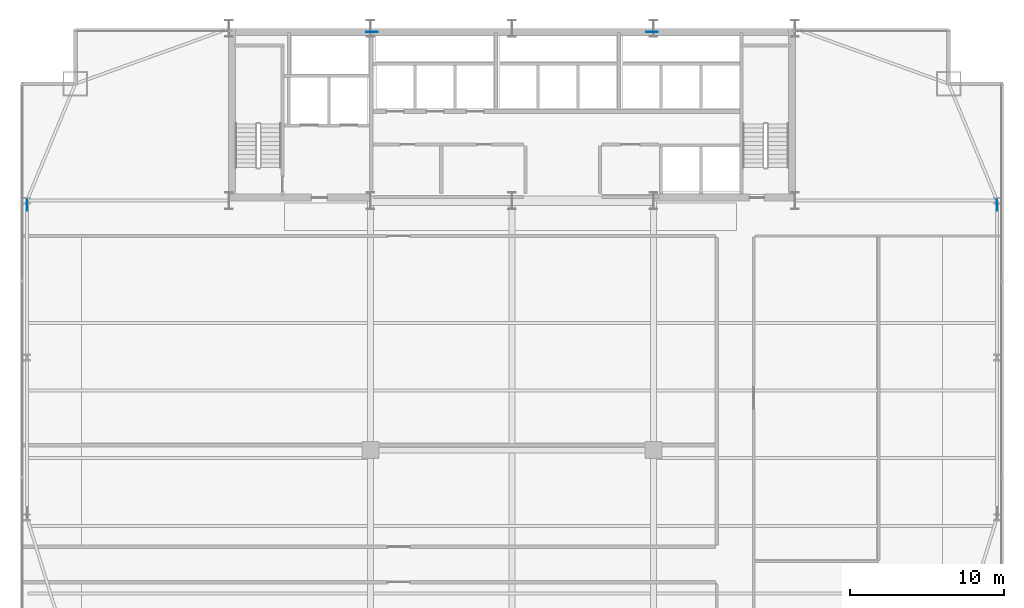
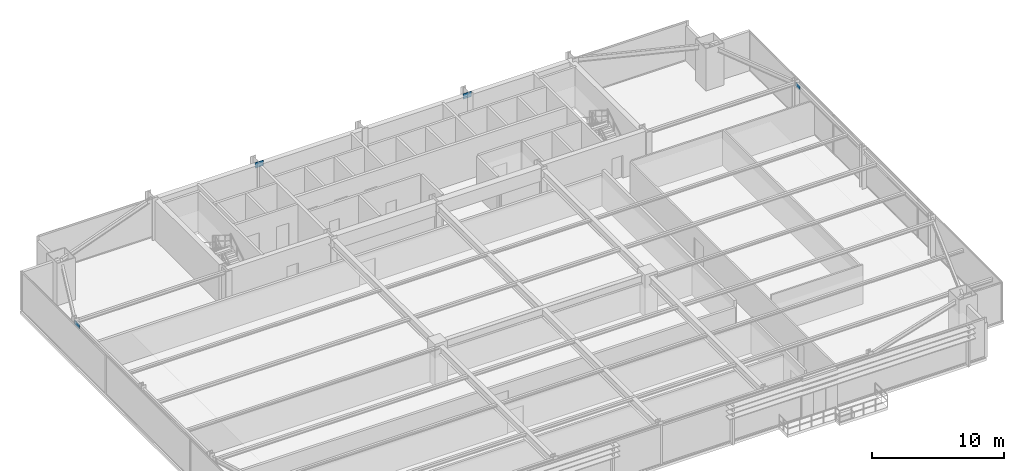
# One storey, part 26 of 31: 4 plates.
"""IFC4 building model written with IfcOpenShell, lengths in metres."""

import ifcopenshell
import ifcopenshell.guid

model = None  # the IFC model being written
_history = None  # IfcOwnerHistory: only IFC2X3 demands one
_inside = {}  # id of a spatial element -> (the spatial element, [elements in it])
_under = {}  # id of a project, library or spatial element -> (it, [spatial elements below it])
_declared = {}  # id of a project -> (the project, [libraries it declares])
_typed = {}  # id of a type object -> (the type object, [elements of that type])
_made_of = {}  # id of a material, layer set ... -> (it, [elements and type objects made of it])


def new_model(schema):
    """Start an empty IFC model of exactly this schema.

    Asked for "IFC4X3", IfcOpenShell would pick the latest addendum, in which some entities
    have other attributes; the version numbers below select the first issue.
    IFC2X3 requires an IfcOwnerHistory on every rooted entity: one is made here for all.
    """
    global model, _history
    if schema == "IFC4X3":
        model = ifcopenshell.file(schema_version=(4, 3, 0, 0))
    else:
        model = ifcopenshell.file(schema=schema)
    _inside.clear()
    _under.clear()
    _declared.clear()
    _typed.clear()
    _made_of.clear()
    _history = None
    if model.schema == "IFC2X3":
        org = make("IfcOrganization", Name="unknown")
        user = make(
            "IfcPersonAndOrganization",
            ThePerson=make("IfcPerson", FamilyName="unknown"),
            TheOrganization=org,
        )
        app = make(
            "IfcApplication",
            ApplicationDeveloper=org,
            Version="unknown",
            ApplicationFullName="unknown",
            ApplicationIdentifier="unknown",
        )
        _history = make(
            "IfcOwnerHistory",
            OwningUser=user,
            OwningApplication=app,
            ChangeAction="ADDED",
            CreationDate=0,
        )
    return model


def make(cls, **values):
    """One entity of the class cls with the attributes given. An attribute that is None is left unset."""
    return model.create_entity(
        cls, **{name: value for name, value in values.items() if value is not None}
    )


def rooted(cls, **values):
    """An entity with a GlobalId (a new one), such as an element, a storey or a relation."""
    return make(cls, GlobalId=ifcopenshell.guid.new(), OwnerHistory=_history, **values)


def si_unit(unit_type, name, prefix=None):
    """IfcSIUnit, for example si_unit("LENGTHUNIT", "METRE", prefix="MILLI")."""
    return make("IfcSIUnit", UnitType=unit_type, Prefix=prefix, Name=name)


def assignment(units):
    """IfcUnitAssignment: the units of a project."""
    return None if units is None else make("IfcUnitAssignment", Units=units)


def point(xyz):
    """IfcCartesianPoint."""
    return None if xyz is None else make("IfcCartesianPoint", Coordinates=xyz)


def direction(xyz):
    """IfcDirection."""
    return None if xyz is None else make("IfcDirection", DirectionRatios=xyz)


def frame(location, z_axis=None, x_axis=None):
    """IfcAxis2Placement3D, a coordinate frame: its origin and axes. An axis left out is left unset."""
    return make(
        "IfcAxis2Placement3D",
        Location=point(location),
        Axis=direction(z_axis),
        RefDirection=direction(x_axis),
    )


def frame_2d(location, x_axis=None):
    """IfcAxis2Placement2D, a coordinate frame in the plane: its origin and x axis."""
    return make(
        "IfcAxis2Placement2D", Location=point(location), RefDirection=direction(x_axis)
    )


def origin():
    """The frame at (0, 0, 0) with its axes left unset."""
    return frame((0.0, 0.0, 0.0))


def origin_2d():
    """The frame at (0, 0) in the plane with its x axis left unset."""
    return frame_2d((0.0, 0.0))


def place(relative_to, where):
    """IfcLocalPlacement: puts the frame where relative to a parent placement (None: the world)."""
    return make(
        "IfcLocalPlacement", PlacementRelTo=relative_to, RelativePlacement=where
    )


def context(
    kind, dimensions, precision=None, world=None, true_north=None, identifier=None
):
    """IfcGeometricRepresentationContext, for example the 3D "Model" context."""
    return make(
        "IfcGeometricRepresentationContext",
        ContextIdentifier=identifier,
        ContextType=kind,
        CoordinateSpaceDimension=dimensions,
        Precision=precision,
        WorldCoordinateSystem=world,
        TrueNorth=true_north,
    )


def subcontext(parent, identifier, kind, view, scale=None):
    """IfcGeometricRepresentationSubContext, for example "Body" below "Model"."""
    return make(
        "IfcGeometricRepresentationSubContext",
        ContextIdentifier=identifier,
        ContextType=kind,
        ParentContext=parent,
        TargetScale=scale,
        TargetView=view,
    )


def project(units=None, contexts=None):
    """IfcProject with its units and contexts."""
    return rooted(
        "IfcProject",
        Name="project",
        RepresentationContexts=contexts,
        UnitsInContext=assignment(units),
    )


def spatial(cls, under=None, at=None, **own):
    """A site, building, storey or space (cls), placed at a placement, below another one or the project."""
    s = rooted(cls, ObjectPlacement=at, **own)
    if under is not None:
        _under.setdefault(under.id(), (under, []))[1].append(s)
    return s


def profile(cls, at=None, kind="AREA", **sizes):
    """A parametric profile (cls). Its sizes go by their IFC names, for example OverallWidth=200.0."""
    return make(cls, ProfileType=kind, Position=at, **sizes)


def rectangle(**sizes):
    """IfcRectangleProfileDef."""
    return profile("IfcRectangleProfileDef", **sizes)


def extrude(swept, where, along, depth):
    """IfcExtrudedAreaSolid: the profile swept, set in the frame where, extruded along a direction by depth."""
    return make(
        "IfcExtrudedAreaSolid",
        SweptArea=swept,
        Position=where,
        ExtrudedDirection=direction(along),
        Depth=depth,
    )


def shape(context_of_items, identifier, shape_type, items):
    """IfcShapeRepresentation: the items that make up one representation, for example the "Body"."""
    return make(
        "IfcShapeRepresentation",
        ContextOfItems=context_of_items,
        RepresentationIdentifier=identifier,
        RepresentationType=shape_type,
        Items=items,
    )


def source(mapping_origin, context_of_items, identifier, shape_type, items):
    """IfcRepresentationMap: a shape defined once, which mapped items show again and again."""
    return make(
        "IfcRepresentationMap",
        MappingOrigin=mapping_origin,
        MappedRepresentation=shape(context_of_items, identifier, shape_type, items),
    )


def transform(
    local_origin,
    x_axis=None,
    y_axis=None,
    z_axis=None,
    scale=None,
    scale2=None,
    scale3=None,
    uniform=True,
):
    """IfcCartesianTransformationOperator3D, or its non-uniform kind. x_axis, y_axis, z_axis: its Axis1, 2, 3."""
    if uniform:
        return make(
            "IfcCartesianTransformationOperator3D",
            Axis1=direction(x_axis),
            Axis2=direction(y_axis),
            LocalOrigin=point(local_origin),
            Scale=scale,
            Axis3=direction(z_axis),
        )
    return make(
        "IfcCartesianTransformationOperator3DnonUniform",
        Axis1=direction(x_axis),
        Axis2=direction(y_axis),
        LocalOrigin=point(local_origin),
        Scale=scale,
        Axis3=direction(z_axis),
        Scale2=scale2,
        Scale3=scale3,
    )


def mapped(mapping_source, mapping_target):
    """IfcMappedItem: shows the shape of a source again, moved by a transform."""
    return make(
        "IfcMappedItem", MappingSource=mapping_source, MappingTarget=mapping_target
    )


def material(Name=None, Category=None):
    """IfcMaterial."""
    return make("IfcMaterial", Name=Name, Category=Category)


def layer(
    of_material, thickness, ventilated=None, Name=None, Category=None, Priority=None
):
    """IfcMaterialLayer: one layer of a wall or slab, of a material (None: an air gap)."""
    return make(
        "IfcMaterialLayer",
        Material=of_material,
        LayerThickness=thickness,
        IsVentilated=ventilated,
        Name=Name,
        Category=Category,
        Priority=Priority,
    )


def layer_set(layers, Name=None):
    """IfcMaterialLayerSet."""
    return make("IfcMaterialLayerSet", MaterialLayers=layers, LayerSetName=Name)


def made_of(thing, what):
    """Note that an element or type object is made of a material, layer set ...; save() writes the relation."""
    if what is not None:
        _made_of.setdefault(what.id(), (what, []))[1].append(thing)
    return thing


def type_object(cls, material=None, **own):
    """A type object (cls), such as IfcWallType, which elements share."""
    return made_of(rooted(cls, **own), material)


def type_shapes(of_type, sources):
    """Give a type object the sources (RepresentationMaps) that its elements show as mapped items."""
    of_type.RepresentationMaps = sources


def element(
    cls,
    number,
    at=None,
    inside=None,
    cuts=None,
    type_object=None,
    material=None,
    context=None,
    identifier="Body",
    shape_type=None,
    held_by="IfcProductDefinitionShape",
    body=None,
    shapes=None,
    **own,
):
    """One element of the class cls, such as IfcWall. Its Tag is "e" and its number.

    at: its placement. inside: the storey or other place that contains it. cuts: it is an
    opening in that element (IfcRelVoidsElement). A single representation is given by context,
    identifier, shape_type and body (its items); several are given by shapes. held_by: the class
    of the entity that holds the representations. save() writes the other relations.
    """
    e = rooted(cls, Tag="e%d" % number, ObjectPlacement=at, **own)
    if body is not None:
        shapes = [shape(context, identifier, shape_type, body)]
    if shapes is not None:
        e.Representation = make(held_by, Representations=shapes)
    if inside is not None:
        _inside.setdefault(inside.id(), (inside, []))[1].append(e)
    if cuts is not None:
        rooted(
            "IfcRelVoidsElement", RelatingBuildingElement=cuts, RelatedOpeningElement=e
        )
    if type_object is not None:
        _typed.setdefault(type_object.id(), (type_object, []))[1].append(e)
    return made_of(e, material)


def aggregate(whole, parts):
    """IfcRelAggregates: a whole, such as a stair, and the parts it consists of."""
    return rooted("IfcRelAggregates", RelatingObject=whole, RelatedObjects=parts)


def save(model, path):
    """Write the relations noted so far, then the file.

    IfcRelAggregates (storeys below a building ...), IfcRelContainedInSpatialStructure (elements
    in a storey), IfcRelDefinesByType, IfcRelAssociatesMaterial and IfcRelDeclares: one each for
    every whole, place, type object, material and project.
    """
    for whole, parts in _under.values():
        aggregate(whole, parts)
    for where, things in _inside.values():
        rooted(
            "IfcRelContainedInSpatialStructure",
            RelatedElements=things,
            RelatingStructure=where,
        )
    for kind, things in _typed.values():
        rooted("IfcRelDefinesByType", RelatedObjects=things, RelatingType=kind)
    for what, things in _made_of.values():
        rooted("IfcRelAssociatesMaterial", RelatedObjects=things, RelatingMaterial=what)
    for by, libraries in _declared.values():
        rooted("IfcRelDeclares", RelatingContext=by, RelatedDefinitions=libraries)
    model.write(path)


model = new_model("IFC4")

# Units and contexts
model_context = context("Model", 3, precision=1e-05, world=origin(), true_north=direction((0.0, 1.0)))
body_context = subcontext(model_context, "Body", "Model", "MODEL_VIEW")
ifc_project = project(units=[si_unit("LENGTHUNIT", "METRE"), si_unit("AREAUNIT", "SQUARE_METRE"), si_unit("VOLUMEUNIT", "CUBIC_METRE"), si_unit("PLANEANGLEUNIT", "RADIAN"), si_unit("MASSUNIT", "GRAM", prefix="KILO")], contexts=[model_context])

# Site, building, storey
site_placement = place(None, origin())
site = spatial("IfcSite", under=ifc_project, at=site_placement, CompositionType="ELEMENT")
building_placement = place(site_placement, origin())
building = spatial("IfcBuilding", under=site, at=building_placement, Name="Varnel Quay Broadcast Tower", CompositionType="ELEMENT")
storey_placement = place(building_placement, frame((0.0, 0.0, 39.300048828125)))
storey = spatial("IfcBuildingStorey", under=building, at=storey_placement, Name="L08", CompositionType="ELEMENT", Elevation=39.300048828125)

# Plates
ifc_material = material(Name="Structural Steel CSA G40.21 350WT", Category="steel")
ifc_layer_1 = layer(ifc_material, 0.031982421875, Name="Structural Steel CSA G40.21 350WT")
ifc_layer_set_1 = layer_set([ifc_layer_1], Name="Structural Steel CSA G40.21 350WT")
plate_type_1 = type_object("IfcPlateType", Name="Plate_EndCap", PredefinedType="USERDEFINED", material=ifc_layer_set_1)
shared_shape_1 = source(origin(), body_context, "Body", "SweptSolid", [
    extrude(rectangle(XDim=0.719970703125, YDim=0.031982421875, at=origin_2d()), origin(), (0.0, 0.0, 1.0), 0.3798828125),
])
type_shapes(plate_type_1, [shared_shape_1])
for number, where, z_axis, x_axis, name in (
    (1, (2.449951171875, 35.294921875, 3.21337890625), (0.0, 0.0, 1.0), (0.0, 1.0, 0.0), "Zone 1 Mega-Brace W-FT1 Diag A End Connection Plate P1"),
    (2, (65.550048828125, 35.294921875, 3.21337890625), (0.0, 0.0, 1.0), (0.0, 1.0, 0.0), "Zone 1 Mega-Brace E-FT1 Diag A End Connection Plate P1"),
):
    element("IfcPlate", number, at=place(storey_placement, frame(where, z_axis=z_axis, x_axis=x_axis)), inside=storey, type_object=plate_type_1, Name=name, ObjectType="CAP_PLATE", PredefinedType="USERDEFINED", context=body_context, shape_type="MappedRepresentation", body=[
        mapped(shared_shape_1, transform((0.0, 0.0, 0.0), x_axis=(1.0, 0.0, 0.0), y_axis=(0.0, 1.0, 0.0), z_axis=(0.0, 0.0, 1.0), scale=1.0)),
    ])
ifc_layer_2 = layer(ifc_material, 0.0400390625, Name="Structural Steel CSA G40.21 350WT")
ifc_layer_set_2 = layer_set([ifc_layer_2], Name="Structural Steel CSA G40.21 350WT")
plate_type_2 = type_object("IfcPlateType", Name="Plate_EmbedPlate", PredefinedType="USERDEFINED", material=ifc_layer_set_2)
shared_shape_2 = source(origin(), body_context, "Body", "SweptSolid", [
    extrude(rectangle(XDim=0.739990234375, YDim=0.0400390625, at=origin_2d()), origin(), (0.0, 0.0, 1.0), 0.50390625),
])
type_shapes(plate_type_2, [shared_shape_2])
for number, where, z_axis, x_axis, name in (
    (3, (43.10791015625, 46.580078125, 3.30126953125), (0.0, 0.0, 1.0), (1.0, 0.0, 0.0), "Zone 1 Mega-Brace N-CT1 Diag A Wall Cast-In Embed Plate P1"),
    (4, (24.89208984375, 46.580078125, 3.30126953125), (0.0, 0.0, 1.0), (1.0, 0.0, 0.0), "Zone 1 Mega-Brace N-CT1 Diag B2 Wall Cast-In Embed Plate P1"),
):
    element("IfcPlate", number, at=place(storey_placement, frame(where, z_axis=z_axis, x_axis=x_axis)), inside=storey, type_object=plate_type_2, Name=name, ObjectType="EMBED_PLATE", PredefinedType="USERDEFINED", context=body_context, shape_type="MappedRepresentation", body=[
        mapped(shared_shape_2, transform((0.0, 0.0, 0.0), x_axis=(1.0, 0.0, 0.0), y_axis=(0.0, 1.0, 0.0), z_axis=(0.0, 0.0, 1.0), scale=1.0)),
    ])

save(model, "model.ifc")
